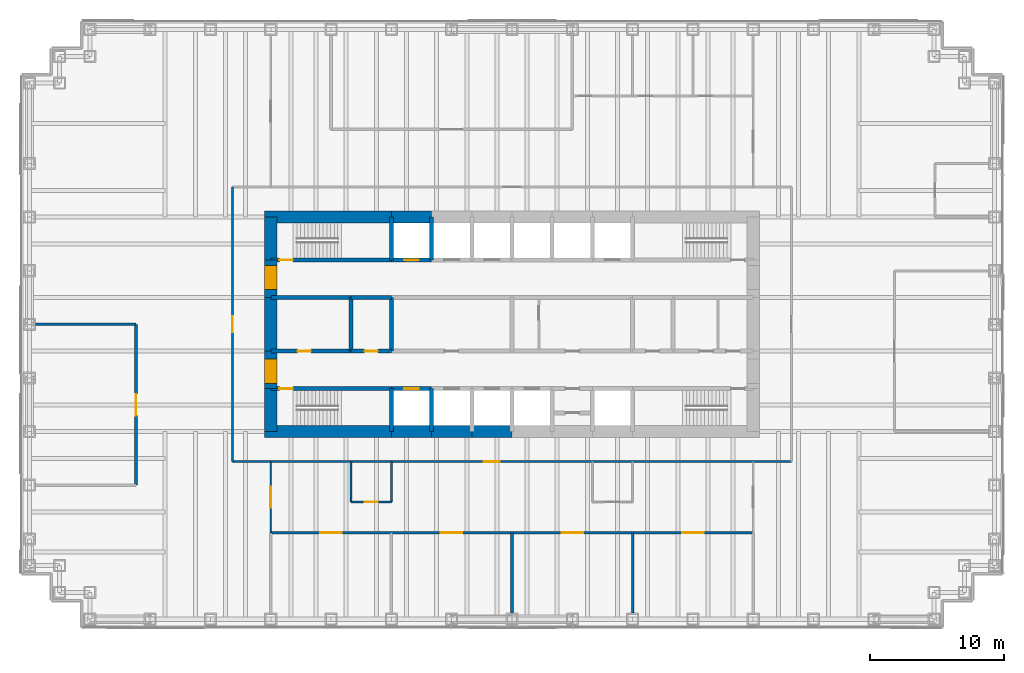
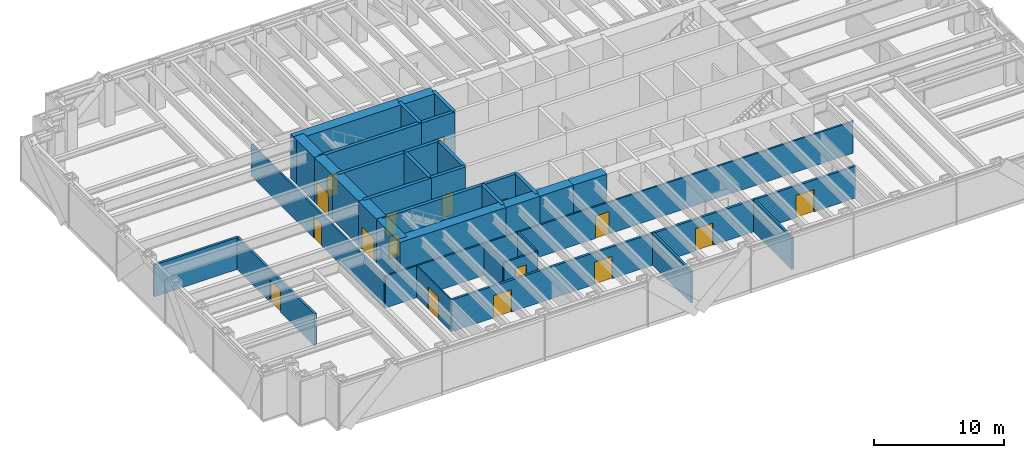
# One storey, part 11 of 15: 36 walls, 17 doors, 17 openings.
"""IFC4 building model written with IfcOpenShell, lengths in metres."""

from ifc_helpers import new_model, si_unit, direction, frame, frame_2d, origin, place, context, subcontext, project, spatial, rectangle, extrude, material, layer, layer_set, type_object, element, fill, save


model = new_model("IFC4")

# Units and contexts
model_context = context("Model", 3, precision=1e-05, world=origin(), true_north=direction((0.0, 1.0)))
body_context = subcontext(model_context, "Body", "Model", "MODEL_VIEW")
ifc_project = project(units=[si_unit("LENGTHUNIT", "METRE"), si_unit("AREAUNIT", "SQUARE_METRE"), si_unit("VOLUMEUNIT", "CUBIC_METRE"), si_unit("PLANEANGLEUNIT", "RADIAN"), si_unit("MASSUNIT", "GRAM", prefix="KILO")], contexts=[model_context])

# Site, building, storey
site_placement = place(None, origin())
site = spatial("IfcSite", under=ifc_project, at=site_placement, CompositionType="ELEMENT")
building_placement = place(site_placement, origin())
building = spatial("IfcBuilding", under=site, at=building_placement, Name="Rheinbord Bourse Tower", CompositionType="ELEMENT")
storey_placement = place(building_placement, frame((0.0, 0.0, 155.10009765625)))
storey = spatial("IfcBuildingStorey", under=building, at=storey_placement, Name="L34", CompositionType="ELEMENT", Elevation=155.10009765625)

# Wall, openings, doors
ifc_material_1 = material(Name="Acoustic gypsum board partition", Category="gypsum board")
ifc_layer_1 = layer(ifc_material_1, 0.199951171875)
ifc_layer_set_1 = layer_set([ifc_layer_1], Name="ACOUSTIC PARTITION 200")
wall_type_1 = type_object("IfcWallType", Name="ACOUSTIC PARTITION 200", PredefinedType="PARTITIONING", material=ifc_layer_set_1)
wall_1_placement = place(storey_placement, frame((18.0, 8.449951171875, 0.0), z_axis=(0.0, 0.0, 1.0), x_axis=(1.0, 0.0, 0.0)))
wall_1 = element("IfcWall", 1, at=wall_1_placement, inside=storey, type_object=wall_type_1, Name="Partition L34-01", PredefinedType="PARTITIONING", context=body_context, shape_type="SweptSolid", body=[
    extrude(rectangle(XDim=36.0, YDim=0.199951171875, at=frame_2d((18.0, 0.0))), origin(), (0.0, 0.0, 1.0), 3.0),
])
opening_1_placement = place(wall_1_placement, frame((3.699951171875, 0.0, 0.0)))
opening_1 = element("IfcOpeningElement", 2, at=opening_1_placement, cuts=wall_1, Name="Opening 34D01", PredefinedType="OPENING", context=body_context, shape_type="SweptSolid", body=[
    extrude(rectangle(XDim=1.60009765625, YDim=2.10009765625, at=frame_2d((0.800048828125, 1.050048828125))), frame((0.0, 0.10986328125, 0.0), z_axis=(0.0, -1.0, 0.0), x_axis=(1.0, 0.0, 0.0)), (0.0, 0.0, 1.0), 0.219970703125),
])
opening_2_placement = place(wall_1_placement, frame((12.699951171875, 0.0, 0.0)))
opening_2 = element("IfcOpeningElement", 3, at=opening_2_placement, cuts=wall_1, Name="Opening 34D02", PredefinedType="OPENING", context=body_context, shape_type="SweptSolid", body=[
    extrude(rectangle(XDim=1.60009765625, YDim=2.10009765625, at=frame_2d((0.800048828125, 1.050048828125))), frame((0.0, 0.10986328125, 0.0), z_axis=(0.0, -1.0, 0.0), x_axis=(1.0, 0.0, 0.0)), (0.0, 0.0, 1.0), 0.219970703125),
])
opening_3_placement = place(wall_1_placement, frame((21.699951171875, 0.0, 0.0)))
opening_3 = element("IfcOpeningElement", 4, at=opening_3_placement, cuts=wall_1, Name="Opening 34D03", PredefinedType="OPENING", context=body_context, shape_type="SweptSolid", body=[
    extrude(rectangle(XDim=1.60009765625, YDim=2.10009765625, at=frame_2d((0.800048828125, 1.050048828125))), frame((0.0, 0.10986328125, 0.0), z_axis=(0.0, -1.0, 0.0), x_axis=(1.0, 0.0, 0.0)), (0.0, 0.0, 1.0), 0.219970703125),
])
opening_4_placement = place(wall_1_placement, frame((30.699951171875, 0.0, 0.0)))
opening_4 = element("IfcOpeningElement", 5, at=opening_4_placement, cuts=wall_1, Name="Opening 34D04", PredefinedType="OPENING", context=body_context, shape_type="SweptSolid", body=[
    extrude(rectangle(XDim=1.60009765625, YDim=2.10009765625, at=frame_2d((0.800048828125, 1.050048828125))), frame((0.0, 0.10986328125, 0.0), z_axis=(0.0, -1.0, 0.0), x_axis=(1.0, 0.0, 0.0)), (0.0, 0.0, 1.0), 0.219970703125),
])
ifc_material_2 = material(Name="Timber door", Category="wood")
door_type_1 = type_object("IfcDoorType", Name="DOUBLE ROOM DOOR 1600", OperationType="DOUBLE_DOOR_DOUBLE_SWING", PredefinedType="DOOR", material=ifc_material_2)
door_1_placement = place(opening_1_placement, origin())
door_1 = element("IfcDoor", 6, at=door_1_placement, inside=storey, type_object=door_type_1, Name="Seminar room door L34", OperationType="SINGLE_SWING_LEFT", OverallHeight=2.10009765625, OverallWidth=1.60009765625, PredefinedType="DOOR", context=body_context, shape_type="SweptSolid", body=[
    extrude(rectangle(XDim=1.60009765625, YDim=2.10009765625, at=frame_2d((0.800048828125, 1.050048828125))), frame((0.0, 0.02490234375, 0.0), z_axis=(0.0, -1.0, 0.0), x_axis=(1.0, 0.0, 0.0)), (0.0, 0.0, 1.0), 0.050048828125),
])
fill(opening_1, door_1)
door_2_placement = place(opening_2_placement, origin())
door_2 = element("IfcDoor", 7, at=door_2_placement, inside=storey, type_object=door_type_1, Name="Seminar room door L34", OperationType="SINGLE_SWING_LEFT", OverallHeight=2.10009765625, OverallWidth=1.60009765625, PredefinedType="DOOR", context=body_context, shape_type="SweptSolid", body=[
    extrude(rectangle(XDim=1.60009765625, YDim=2.10009765625, at=frame_2d((0.800048828125, 1.050048828125))), frame((0.0, 0.02490234375, 0.0), z_axis=(0.0, -1.0, 0.0), x_axis=(1.0, 0.0, 0.0)), (0.0, 0.0, 1.0), 0.050048828125),
])
fill(opening_2, door_2)
door_3_placement = place(opening_3_placement, origin())
door_3 = element("IfcDoor", 8, at=door_3_placement, inside=storey, type_object=door_type_1, Name="Seminar room door L34", OperationType="SINGLE_SWING_LEFT", OverallHeight=2.10009765625, OverallWidth=1.60009765625, PredefinedType="DOOR", context=body_context, shape_type="SweptSolid", body=[
    extrude(rectangle(XDim=1.60009765625, YDim=2.10009765625, at=frame_2d((0.800048828125, 1.050048828125))), frame((0.0, 0.02490234375, 0.0), z_axis=(0.0, -1.0, 0.0), x_axis=(1.0, 0.0, 0.0)), (0.0, 0.0, 1.0), 0.050048828125),
])
fill(opening_3, door_3)
door_4_placement = place(opening_4_placement, origin())
door_4 = element("IfcDoor", 9, at=door_4_placement, inside=storey, type_object=door_type_1, Name="Seminar room door L34", OperationType="SINGLE_SWING_LEFT", OverallHeight=2.10009765625, OverallWidth=1.60009765625, PredefinedType="DOOR", context=body_context, shape_type="SweptSolid", body=[
    extrude(rectangle(XDim=1.60009765625, YDim=2.10009765625, at=frame_2d((0.800048828125, 1.050048828125))), frame((0.0, 0.02490234375, 0.0), z_axis=(0.0, -1.0, 0.0), x_axis=(1.0, 0.0, 0.0)), (0.0, 0.0, 1.0), 0.050048828125),
])
fill(opening_4, door_4)

# Wall
wall_2_placement = place(storey_placement, frame((0.449951171875, 24.0, 0.0), z_axis=(0.0, 0.0, 1.0), x_axis=(1.0, 0.0, 0.0)))
element("IfcWall", 10, at=wall_2_placement, inside=storey, type_object=wall_type_1, Name="Partition L34-07", PredefinedType="PARTITIONING", context=body_context, shape_type="SweptSolid", body=[
    extrude(rectangle(XDim=7.5, YDim=0.199951171875, at=frame_2d((3.75, 0.0))), origin(), (0.0, 0.0, 1.0), 3.0),
])

# Wall, opening, door
wall_3_placement = place(storey_placement, frame((7.949951171875, 12.0, 0.0), z_axis=(0.0, 0.0, 1.0), x_axis=(0.0, 1.0, 0.0)))
wall_3 = element("IfcWall", 11, at=wall_3_placement, inside=storey, type_object=wall_type_1, Name="Partition L34-14", PredefinedType="PARTITIONING", context=body_context, shape_type="SweptSolid", body=[
    extrude(rectangle(XDim=12.0, YDim=0.199951171875, at=frame_2d((6.0, 0.0))), origin(), (0.0, 0.0, 1.0), 3.0),
])
opening_5_placement = place(wall_3_placement, frame((5.199951171875, 0.0, 0.0)))
opening_5 = element("IfcOpeningElement", 12, at=opening_5_placement, cuts=wall_3, Name="Opening 34D07", PredefinedType="OPENING", context=body_context, shape_type="SweptSolid", body=[
    extrude(rectangle(XDim=1.60009765625, YDim=2.10009765625, at=frame_2d((0.800048828125, 1.050048828125))), frame((0.0, 0.10986328125, 0.0), z_axis=(0.0, -1.0, 0.0), x_axis=(1.0, 0.0, 0.0)), (0.0, 0.0, 1.0), 0.219970703125),
])
door_5_placement = place(opening_5_placement, origin())
door_5 = element("IfcDoor", 13, at=door_5_placement, inside=storey, type_object=door_type_1, Name="Seminar room door L34", OperationType="SINGLE_SWING_LEFT", OverallHeight=2.10009765625, OverallWidth=1.60009765625, PredefinedType="DOOR", context=body_context, shape_type="SweptSolid", body=[
    extrude(rectangle(XDim=1.60009765625, YDim=2.10009765625, at=frame_2d((0.800048828125, 1.050048828125))), frame((0.0, 0.02490234375, 0.0), z_axis=(0.0, -1.0, 0.0), x_axis=(1.0, 0.0, 0.0)), (0.0, 0.0, 1.0), 0.050048828125),
])
fill(opening_5, door_5)

# Walls
for number, where, z_axis, x_axis, name in (
    (14, (36.0, 2.449951171875, 0.0), (0.0, 0.0, 1.0), (0.0, 1.0, 0.0), "Partition L34-23"),
    (15, (45.0, 2.449951171875, 0.0), (0.0, 0.0, 1.0), (0.0, 1.0, 0.0), "Partition L34-26"),
):
    element("IfcWall", number, at=place(storey_placement, frame(where, z_axis=z_axis, x_axis=x_axis)), inside=storey, type_object=wall_type_1, Name=name, PredefinedType="PARTITIONING", context=body_context, shape_type="SweptSolid", body=[
        extrude(rectangle(XDim=6.0, YDim=0.199951171875, at=frame_2d((3.0, 0.0))), origin(), (0.0, 0.0, 1.0), 3.0),
    ])

# Wall, opening, door
ifc_material_3 = material(Name="Concrete C50/60", Category="concrete")
ifc_layer_2 = layer(ifc_material_3, 0.300048828125)
ifc_layer_set_2 = layer_set([ifc_layer_2], Name="CORE INNER WALL 300")
wall_type_2 = type_object("IfcWallType", Name="CORE INNER WALL 300", PredefinedType="SOLIDWALL", material=ifc_layer_set_2)
wall_4_placement = place(storey_placement, frame((18.0, 19.199951171875, 0.0), z_axis=(0.0, 0.0, 1.0), x_axis=(1.0, 0.0, 0.0)))
wall_4 = element("IfcWall", 16, at=wall_4_placement, inside=storey, type_object=wall_type_2, Name="Core wall A1 L34", PredefinedType="SOLIDWALL", context=body_context, shape_type="SweptSolid", body=[
    extrude(rectangle(XDim=9.0, YDim=0.300048828125, at=frame_2d((4.5, 0.0))), origin(), (0.0, 0.0, 1.0), 4.199951171875),
])
opening_6_placement = place(wall_4_placement, frame((0.64990234375, 0.0, 0.0)))
opening_6 = element("IfcOpeningElement", 17, at=opening_6_placement, cuts=wall_4, Name="Opening 3410", PredefinedType="OPENING", context=body_context, shape_type="SweptSolid", body=[
    extrude(rectangle(XDim=1.0, YDim=2.10009765625, at=frame_2d((0.5, 1.050048828125))), frame((0.0, 0.159912109375, 0.0), z_axis=(0.0, -1.0, 0.0), x_axis=(1.0, 0.0, 0.0)), (0.0, 0.0, 1.0), 0.320068359375),
])
ifc_material_4 = material(Name="Steel door", Category="steel")
door_type_2 = type_object("IfcDoorType", Name="DOOR 1000 EI30", OperationType="SINGLE_SWING_LEFT", PredefinedType="DOOR", material=ifc_material_4)
door_6_placement = place(opening_6_placement, origin())
door_6 = element("IfcDoor", 18, at=door_6_placement, inside=storey, type_object=door_type_2, Name="Stair door ST1 L34", OperationType="SINGLE_SWING_LEFT", OverallHeight=2.10009765625, OverallWidth=1.0, PredefinedType="DOOR", context=body_context, shape_type="SweptSolid", body=[
    extrude(rectangle(XDim=1.0, YDim=2.10009765625, at=frame_2d((0.5, 1.050048828125))), frame((0.0, 0.02490234375, 0.0), z_axis=(0.0, -1.0, 0.0), x_axis=(1.0, 0.0, 0.0)), (0.0, 0.0, 1.0), 0.050048828125),
])
fill(opening_6, door_6)

wall_5_placement = place(storey_placement, frame((27.0, 19.199951171875, 0.0), z_axis=(0.0, 0.0, 1.0), x_axis=(1.0, 0.0, 0.0)))
wall_5 = element("IfcWall", 19, at=wall_5_placement, inside=storey, type_object=wall_type_2, Name="Core wall A2 L34", PredefinedType="SOLIDWALL", context=body_context, shape_type="SweptSolid", body=[
    extrude(rectangle(XDim=3.0, YDim=0.300048828125, at=frame_2d((1.5, 0.0))), origin(), (0.0, 0.0, 1.0), 4.199951171875),
])
opening_7_placement = place(wall_5_placement, frame((0.949951171875, 0.0, 0.0)))
opening_7 = element("IfcOpeningElement", 20, at=opening_7_placement, cuts=wall_5, Name="Opening FL1", PredefinedType="OPENING", context=body_context, shape_type="SweptSolid", body=[
    extrude(rectangle(XDim=1.10009765625, YDim=2.199951171875, at=frame_2d((0.550048828125, 1.10009765625))), frame((0.0, 0.159912109375, 0.0), z_axis=(0.0, -1.0, 0.0), x_axis=(1.0, 0.0, 0.0)), (0.0, 0.0, 1.0), 0.320068359375),
])
ifc_material_5 = material(Name="Steel landing door", Category="steel")
door_type_3 = type_object("IfcDoorType", Name="LIFT LANDING DOOR 1100", OperationType="DOUBLE_DOOR_SLIDING", PredefinedType="USERDEFINED", material=ifc_material_5)
door_7_placement = place(opening_7_placement, origin())
door_7 = element("IfcDoor", 21, at=door_7_placement, inside=storey, type_object=door_type_3, Name="Lift landing door FL1 L34", ObjectType="LIFT LANDING DOOR", OperationType="DOUBLE_DOOR_SLIDING", OverallHeight=2.199951171875, OverallWidth=1.10009765625, PredefinedType="USERDEFINED", context=body_context, shape_type="SweptSolid", body=[
    extrude(rectangle(XDim=1.10009765625, YDim=2.199951171875, at=frame_2d((0.550048828125, 1.10009765625))), frame((0.0, 0.02490234375, 0.0), z_axis=(0.0, -1.0, 0.0), x_axis=(1.0, 0.0, 0.0)), (0.0, 0.0, 1.0), 0.050048828125),
])
fill(opening_7, door_7)

wall_6_placement = place(storey_placement, frame((18.0, 28.800048828125, 0.0), z_axis=(0.0, 0.0, 1.0), x_axis=(1.0, 0.0, 0.0)))
wall_6 = element("IfcWall", 22, at=wall_6_placement, inside=storey, type_object=wall_type_2, Name="Core wall B1 L34", PredefinedType="SOLIDWALL", context=body_context, shape_type="SweptSolid", body=[
    extrude(rectangle(XDim=9.0, YDim=0.300048828125, at=frame_2d((4.5, 0.0))), origin(), (0.0, 0.0, 1.0), 4.199951171875),
])
opening_8_placement = place(wall_6_placement, frame((0.64990234375, 0.0, 0.0)))
opening_8 = element("IfcOpeningElement", 23, at=opening_8_placement, cuts=wall_6, Name="Opening 3420", PredefinedType="OPENING", context=body_context, shape_type="SweptSolid", body=[
    extrude(rectangle(XDim=1.0, YDim=2.10009765625, at=frame_2d((0.5, 1.050048828125))), frame((0.0, 0.159912109375, 0.0), z_axis=(0.0, -1.0, 0.0), x_axis=(1.0, 0.0, 0.0)), (0.0, 0.0, 1.0), 0.320068359375),
])
door_8_placement = place(opening_8_placement, origin())
door_8 = element("IfcDoor", 24, at=door_8_placement, inside=storey, type_object=door_type_2, Name="Stair door ST2 L34", OperationType="SINGLE_SWING_LEFT", OverallHeight=2.10009765625, OverallWidth=1.0, PredefinedType="DOOR", context=body_context, shape_type="SweptSolid", body=[
    extrude(rectangle(XDim=1.0, YDim=2.10009765625, at=frame_2d((0.5, 1.050048828125))), frame((0.0, 0.02490234375, 0.0), z_axis=(0.0, -1.0, 0.0), x_axis=(1.0, 0.0, 0.0)), (0.0, 0.0, 1.0), 0.050048828125),
])
fill(opening_8, door_8)

wall_7_placement = place(storey_placement, frame((27.0, 28.800048828125, 0.0), z_axis=(0.0, 0.0, 1.0), x_axis=(1.0, 0.0, 0.0)))
wall_7 = element("IfcWall", 25, at=wall_7_placement, inside=storey, type_object=wall_type_2, Name="Core wall B2 L34", PredefinedType="SOLIDWALL", context=body_context, shape_type="SweptSolid", body=[
    extrude(rectangle(XDim=3.0, YDim=0.300048828125, at=frame_2d((1.5, 0.0))), origin(), (0.0, 0.0, 1.0), 4.199951171875),
])
opening_9_placement = place(wall_7_placement, frame((0.949951171875, 0.0, 0.0)))
opening_9 = element("IfcOpeningElement", 26, at=opening_9_placement, cuts=wall_7, Name="Opening GL1", PredefinedType="OPENING", context=body_context, shape_type="SweptSolid", body=[
    extrude(rectangle(XDim=1.10009765625, YDim=2.199951171875, at=frame_2d((0.550048828125, 1.10009765625))), frame((0.0, 0.159912109375, 0.0), z_axis=(0.0, -1.0, 0.0), x_axis=(1.0, 0.0, 0.0)), (0.0, 0.0, 1.0), 0.320068359375),
])
door_9_placement = place(opening_9_placement, origin())
door_9 = element("IfcDoor", 27, at=door_9_placement, inside=storey, type_object=door_type_3, Name="Lift landing door GL1 L34", ObjectType="LIFT LANDING DOOR", OperationType="DOUBLE_DOOR_SLIDING", OverallHeight=2.199951171875, OverallWidth=1.10009765625, PredefinedType="USERDEFINED", context=body_context, shape_type="SweptSolid", body=[
    extrude(rectangle(XDim=1.10009765625, YDim=2.199951171875, at=frame_2d((0.550048828125, 1.10009765625))), frame((0.0, 0.02490234375, 0.0), z_axis=(0.0, -1.0, 0.0), x_axis=(1.0, 0.0, 0.0)), (0.0, 0.0, 1.0), 0.050048828125),
])
fill(opening_9, door_9)

wall_8_placement = place(storey_placement, frame((18.0, 22.0, 0.0), z_axis=(0.0, 0.0, 1.0), x_axis=(1.0, 0.0, 0.0)))
wall_8 = element("IfcWall", 28, at=wall_8_placement, inside=storey, type_object=wall_type_2, Name="Core wall C1 L34", PredefinedType="SOLIDWALL", context=body_context, shape_type="SweptSolid", body=[
    extrude(rectangle(XDim=6.0, YDim=0.300048828125, at=frame_2d((3.0, 0.0))), origin(), (0.0, 0.0, 1.0), 4.199951171875),
])
opening_10_placement = place(wall_8_placement, frame((2.0, 0.0, 0.0)))
opening_10 = element("IfcOpeningElement", 29, at=opening_10_placement, cuts=wall_8, Name="Opening 34R1", PredefinedType="OPENING", context=body_context, shape_type="SweptSolid", body=[
    extrude(rectangle(XDim=1.0, YDim=2.10009765625, at=frame_2d((0.5, 1.050048828125))), frame((0.0, 0.159912109375, 0.0), z_axis=(0.0, -1.0, 0.0), x_axis=(1.0, 0.0, 0.0)), (0.0, 0.0, 1.0), 0.320068359375),
])
ifc_material_6 = material(Name="Timber door", Category="wood")
door_type_4 = type_object("IfcDoorType", Name="DOOR 1000 WC", OperationType="SINGLE_SWING_LEFT", PredefinedType="DOOR", material=ifc_material_6)
door_10_placement = place(opening_10_placement, origin())
door_10 = element("IfcDoor", 30, at=door_10_placement, inside=storey, type_object=door_type_4, Name="WC men door L34", OperationType="SINGLE_SWING_LEFT", OverallHeight=2.10009765625, OverallWidth=1.0, PredefinedType="DOOR", context=body_context, shape_type="SweptSolid", body=[
    extrude(rectangle(XDim=1.0, YDim=2.10009765625, at=frame_2d((0.5, 1.050048828125))), frame((0.0, 0.02490234375, 0.0), z_axis=(0.0, -1.0, 0.0), x_axis=(1.0, 0.0, 0.0)), (0.0, 0.0, 1.0), 0.050048828125),
])
fill(opening_10, door_10)

wall_9_placement = place(storey_placement, frame((24.0, 22.0, 0.0), z_axis=(0.0, 0.0, 1.0), x_axis=(1.0, 0.0, 0.0)))
wall_9 = element("IfcWall", 31, at=wall_9_placement, inside=storey, type_object=wall_type_2, Name="Core wall C2 L34", PredefinedType="SOLIDWALL", context=body_context, shape_type="SweptSolid", body=[
    extrude(rectangle(XDim=3.0, YDim=0.300048828125, at=frame_2d((1.5, 0.0))), origin(), (0.0, 0.0, 1.0), 4.199951171875),
])
opening_11_placement = place(wall_9_placement, frame((1.0, 0.0, 0.0)))
opening_11 = element("IfcOpeningElement", 32, at=opening_11_placement, cuts=wall_9, Name="Opening 34R2", PredefinedType="OPENING", context=body_context, shape_type="SweptSolid", body=[
    extrude(rectangle(XDim=1.0, YDim=2.10009765625, at=frame_2d((0.5, 1.050048828125))), frame((0.0, 0.159912109375, 0.0), z_axis=(0.0, -1.0, 0.0), x_axis=(1.0, 0.0, 0.0)), (0.0, 0.0, 1.0), 0.320068359375),
])
door_11_placement = place(opening_11_placement, origin())
door_11 = element("IfcDoor", 33, at=door_11_placement, inside=storey, type_object=door_type_4, Name="Shower and accessible WC door L34", OperationType="SINGLE_SWING_LEFT", OverallHeight=2.10009765625, OverallWidth=1.0, PredefinedType="DOOR", context=body_context, shape_type="SweptSolid", body=[
    extrude(rectangle(XDim=1.0, YDim=2.10009765625, at=frame_2d((0.5, 1.050048828125))), frame((0.0, 0.02490234375, 0.0), z_axis=(0.0, -1.0, 0.0), x_axis=(1.0, 0.0, 0.0)), (0.0, 0.0, 1.0), 0.050048828125),
])
fill(opening_11, door_11)

# Walls
wall_10_placement = place(storey_placement, frame((18.0, 26.0, 0.0), z_axis=(0.0, 0.0, 1.0), x_axis=(1.0, 0.0, 0.0)))
element("IfcWall", 34, at=wall_10_placement, inside=storey, type_object=wall_type_2, Name="Core wall D1 L34", PredefinedType="SOLIDWALL", context=body_context, shape_type="SweptSolid", body=[
    extrude(rectangle(XDim=6.0, YDim=0.300048828125, at=frame_2d((3.0, 0.0))), origin(), (0.0, 0.0, 1.0), 4.199951171875),
])
wall_11_placement = place(storey_placement, frame((24.0, 26.0, 0.0), z_axis=(0.0, 0.0, 1.0), x_axis=(1.0, 0.0, 0.0)))
element("IfcWall", 35, at=wall_11_placement, inside=storey, type_object=wall_type_2, Name="Core wall D2 L34", PredefinedType="SOLIDWALL", context=body_context, shape_type="SweptSolid", body=[
    extrude(rectangle(XDim=3.0, YDim=0.300048828125, at=frame_2d((1.5, 0.0))), origin(), (0.0, 0.0, 1.0), 4.199951171875),
])
for number, where, z_axis, x_axis, name in (
    (36, (27.0, 16.0, 0.0), (0.0, 0.0, 1.0), (0.0, 1.0, 0.0), "Core wall SX27 L34"),
    (37, (27.0, 28.800048828125, 0.0), (0.0, 0.0, 1.0), (0.0, 1.0, 0.0), "Core wall NX27 L34"),
    (38, (30.0, 16.0, 0.0), (0.0, 0.0, 1.0), (0.0, 1.0, 0.0), "Core wall SX30 L34"),
    (39, (30.0, 28.800048828125, 0.0), (0.0, 0.0, 1.0), (0.0, 1.0, 0.0), "Core wall NX30 L34"),
):
    element("IfcWall", number, at=place(storey_placement, frame(where, z_axis=z_axis, x_axis=x_axis)), inside=storey, type_object=wall_type_2, Name=name, PredefinedType="SOLIDWALL", context=body_context, shape_type="SweptSolid", body=[
        extrude(rectangle(XDim=3.199951171875, YDim=0.300048828125, at=frame_2d((1.60009765625, 0.0))), origin(), (0.0, 0.0, 1.0), 4.199951171875),
    ])
for number, where, z_axis, x_axis, name in (
    (40, (24.0, 22.0, 0.0), (0.0, 0.0, 1.0), (0.0, 1.0, 0.0), "Core wall MX24 L34"),
    (41, (27.0, 22.0, 0.0), (0.0, 0.0, 1.0), (0.0, 1.0, 0.0), "Core wall MX27 L34"),
):
    element("IfcWall", number, at=place(storey_placement, frame(where, z_axis=z_axis, x_axis=x_axis)), inside=storey, type_object=wall_type_2, Name=name, PredefinedType="SOLIDWALL", context=body_context, shape_type="SweptSolid", body=[
        extrude(rectangle(XDim=4.0, YDim=0.300048828125, at=frame_2d((2.0, 0.0))), origin(), (0.0, 0.0, 1.0), 4.199951171875),
    ])
ifc_material_7 = material(Name="Concrete C50/60", Category="concrete")
ifc_layer_3 = layer(ifc_material_7, 0.89990234375)
ifc_layer_set_3 = layer_set([ifc_layer_3], Name="CORE WALL 900")
wall_type_3 = type_object("IfcWallType", Name="CORE WALL 900", PredefinedType="SHEAR", material=ifc_layer_set_3)
wall_12_placement = place(storey_placement, frame((17.550048828125, 16.0, 0.0), z_axis=(0.0, 0.0, 1.0), x_axis=(1.0, 0.0, 0.0)))
element("IfcWall", 42, at=wall_12_placement, inside=storey, type_object=wall_type_3, Name="Core wall S1 L34", PredefinedType="SHEAR", context=body_context, shape_type="SweptSolid", body=[
    extrude(rectangle(XDim=9.449951171875, YDim=0.89990234375, at=frame_2d((4.72509765625, 0.0))), origin(), (0.0, 0.0, 1.0), 4.199951171875),
])
for number, where, z_axis, x_axis, name in (
    (43, (27.0, 16.0, 0.0), (0.0, 0.0, 1.0), (1.0, 0.0, 0.0), "Core wall S2 L34"),
    (44, (30.0, 16.0, 0.0), (0.0, 0.0, 1.0), (1.0, 0.0, 0.0), "Core wall S3 L34"),
    (45, (33.0, 16.0, 0.0), (0.0, 0.0, 1.0), (1.0, 0.0, 0.0), "Core wall S4 L34"),
    (46, (30.0, 32.0, 0.0), (0.0, 0.0, 1.0), (-1.0, 0.0, 0.0), "Core wall N7 L34"),
):
    element("IfcWall", number, at=place(storey_placement, frame(where, z_axis=z_axis, x_axis=x_axis)), inside=storey, type_object=wall_type_3, Name=name, PredefinedType="SHEAR", context=body_context, shape_type="SweptSolid", body=[
        extrude(rectangle(XDim=3.0, YDim=0.89990234375, at=frame_2d((1.5, 0.0))), origin(), (0.0, 0.0, 1.0), 4.199951171875),
    ])
wall_13_placement = place(storey_placement, frame((27.0, 32.0, 0.0), z_axis=(0.0, 0.0, 1.0), x_axis=(-1.0, 0.0, 0.0)))
element("IfcWall", 47, at=wall_13_placement, inside=storey, type_object=wall_type_3, Name="Core wall N8 L34", PredefinedType="SHEAR", context=body_context, shape_type="SweptSolid", body=[
    extrude(rectangle(XDim=9.449951171875, YDim=0.89990234375, at=frame_2d((4.72509765625, 0.0))), origin(), (0.0, 0.0, 1.0), 4.199951171875),
])
wall_14_placement = place(storey_placement, frame((18.0, 32.0, 0.0), z_axis=(0.0, 0.0, 1.0), x_axis=(0.0, -1.0, 0.0)))
element("IfcWall", 48, at=wall_14_placement, inside=storey, type_object=wall_type_3, Name="Core wall W1 L34", PredefinedType="SHEAR", context=body_context, shape_type="SweptSolid", body=[
    extrude(rectangle(XDim=3.199951171875, YDim=0.89990234375, at=frame_2d((1.60009765625, 0.0))), origin(), (0.0, 0.0, 1.0), 4.199951171875),
])

# Wall, opening, door
wall_15_placement = place(storey_placement, frame((18.0, 28.800048828125, 0.0), z_axis=(0.0, 0.0, 1.0), x_axis=(0.0, -1.0, 0.0)))
wall_15 = element("IfcWall", 49, at=wall_15_placement, inside=storey, type_object=wall_type_3, Name="Core wall W2 L34", PredefinedType="SHEAR", context=body_context, shape_type="SweptSolid", body=[
    extrude(rectangle(XDim=2.800048828125, YDim=0.89990234375, at=frame_2d((1.39990234375, 0.0))), origin(), (0.0, 0.0, 1.0), 4.199951171875),
])
opening_12_placement = place(wall_15_placement, frame((0.39990234375, 0.0, 0.0)))
opening_12 = element("IfcOpeningElement", 50, at=opening_12_placement, cuts=wall_15, Name="Opening 34L2", PredefinedType="OPENING", context=body_context, shape_type="SweptSolid", body=[
    extrude(rectangle(XDim=1.800048828125, YDim=2.10009765625, at=frame_2d((0.89990234375, 1.050048828125))), frame((0.0, 0.4599609375, 0.0), z_axis=(0.0, -1.0, 0.0), x_axis=(1.0, 0.0, 0.0)), (0.0, 0.0, 1.0), 0.919921875),
])
ifc_material_8 = material(Name="Steel door", Category="steel")
door_type_5 = type_object("IfcDoorType", Name="DOOR 1800 EI30 DOUBLE", OperationType="DOUBLE_DOOR_DOUBLE_SWING", PredefinedType="DOOR", material=ifc_material_8)
door_12_placement = place(opening_12_placement, origin())
door_12 = element("IfcDoor", 51, at=door_12_placement, inside=storey, type_object=door_type_5, Name="Lobby door 2 L34", OperationType="SINGLE_SWING_LEFT", OverallHeight=2.10009765625, OverallWidth=1.800048828125, PredefinedType="DOOR", context=body_context, shape_type="SweptSolid", body=[
    extrude(rectangle(XDim=1.800048828125, YDim=2.10009765625, at=frame_2d((0.89990234375, 1.050048828125))), frame((0.0, 0.44970703125, 0.0), z_axis=(0.0, -1.0, 0.0), x_axis=(1.0, 0.0, 0.0)), (0.0, 0.0, 1.0), 0.8994140625),
])
fill(opening_12, door_12)

# Wall
wall_16_placement = place(storey_placement, frame((18.0, 26.0, 0.0), z_axis=(0.0, 0.0, 1.0), x_axis=(0.0, -1.0, 0.0)))
element("IfcWall", 52, at=wall_16_placement, inside=storey, type_object=wall_type_3, Name="Core wall W3 L34", PredefinedType="SHEAR", context=body_context, shape_type="SweptSolid", body=[
    extrude(rectangle(XDim=4.0, YDim=0.89990234375, at=frame_2d((2.0, 0.0))), origin(), (0.0, 0.0, 1.0), 4.199951171875),
])

# Wall, opening, door
wall_17_placement = place(storey_placement, frame((18.0, 22.0, 0.0), z_axis=(0.0, 0.0, 1.0), x_axis=(0.0, -1.0, 0.0)))
wall_17 = element("IfcWall", 53, at=wall_17_placement, inside=storey, type_object=wall_type_3, Name="Core wall W4 L34", PredefinedType="SHEAR", context=body_context, shape_type="SweptSolid", body=[
    extrude(rectangle(XDim=2.800048828125, YDim=0.89990234375, at=frame_2d((1.39990234375, 0.0))), origin(), (0.0, 0.0, 1.0), 4.199951171875),
])
opening_13_placement = place(wall_17_placement, frame((0.60009765625, 0.0, 0.0)))
opening_13 = element("IfcOpeningElement", 54, at=opening_13_placement, cuts=wall_17, Name="Opening 34L1", PredefinedType="OPENING", context=body_context, shape_type="SweptSolid", body=[
    extrude(rectangle(XDim=1.800048828125, YDim=2.10009765625, at=frame_2d((0.89990234375, 1.050048828125))), frame((0.0, 0.4599609375, 0.0), z_axis=(0.0, -1.0, 0.0), x_axis=(1.0, 0.0, 0.0)), (0.0, 0.0, 1.0), 0.919921875),
])
door_13_placement = place(opening_13_placement, origin())
door_13 = element("IfcDoor", 55, at=door_13_placement, inside=storey, type_object=door_type_5, Name="Lobby door 1 L34", OperationType="SINGLE_SWING_LEFT", OverallHeight=2.10009765625, OverallWidth=1.800048828125, PredefinedType="DOOR", context=body_context, shape_type="SweptSolid", body=[
    extrude(rectangle(XDim=1.800048828125, YDim=2.10009765625, at=frame_2d((0.89990234375, 1.050048828125))), frame((0.0, 0.44970703125, 0.0), z_axis=(0.0, -1.0, 0.0), x_axis=(1.0, 0.0, 0.0)), (0.0, 0.0, 1.0), 0.8994140625),
])
fill(opening_13, door_13)

# Wall
wall_18_placement = place(storey_placement, frame((18.0, 19.199951171875, 0.0), z_axis=(0.0, 0.0, 1.0), x_axis=(0.0, -1.0, 0.0)))
element("IfcWall", 56, at=wall_18_placement, inside=storey, type_object=wall_type_3, Name="Core wall W5 L34", PredefinedType="SHEAR", context=body_context, shape_type="SweptSolid", body=[
    extrude(rectangle(XDim=3.199951171875, YDim=0.89990234375, at=frame_2d((1.60009765625, 0.0))), origin(), (0.0, 0.0, 1.0), 4.199951171875),
])

# Wall, opening, door
ifc_material_9 = material(Name="Gypsum board corridor partition", Category="gypsum board")
ifc_layer_4 = layer(ifc_material_9, 0.14990234375)
ifc_layer_set_4 = layer_set([ifc_layer_4], Name="CORRIDOR PARTITION 150 EI30")
wall_type_4 = type_object("IfcWallType", Name="CORRIDOR PARTITION 150 EI30", PredefinedType="PARTITIONING", material=ifc_layer_set_4)
wall_19_placement = place(storey_placement, frame((15.14990234375, 13.75, 0.0), z_axis=(0.0, 0.0, 1.0), x_axis=(1.0, 0.0, 0.0)))
wall_19 = element("IfcWall", 57, at=wall_19_placement, inside=storey, type_object=wall_type_4, Name="Partition L34-05", PredefinedType="PARTITIONING", context=body_context, shape_type="SweptSolid", body=[
    extrude(rectangle(XDim=41.7001953125, YDim=0.14990234375, at=frame_2d((20.85009765625, 0.0))), origin(), (0.0, 0.0, 1.0), 3.0),
])
opening_14_placement = place(wall_19_placement, frame((18.75, 0.0, 0.0)))
opening_14 = element("IfcOpeningElement", 58, at=opening_14_placement, cuts=wall_19, Name="Opening 34D20", PredefinedType="OPENING", context=body_context, shape_type="SweptSolid", body=[
    extrude(rectangle(XDim=1.199951171875, YDim=2.10009765625, at=frame_2d((0.60009765625, 1.050048828125))), frame((0.0, 0.0849609375, 0.0), z_axis=(0.0, -1.0, 0.0), x_axis=(1.0, 0.0, 0.0)), (0.0, 0.0, 1.0), 0.169921875),
])
ifc_material_10 = material(Name="Timber fire door", Category="wood")
door_type_6 = type_object("IfcDoorType", Name="SUITE ENTRANCE DOOR 1200 EI30", OperationType="SINGLE_SWING_LEFT", PredefinedType="DOOR", material=ifc_material_10)
door_14_placement = place(opening_14_placement, origin())
door_14 = element("IfcDoor", 59, at=door_14_placement, inside=storey, type_object=door_type_6, Name="Suite entrance 3 door L34", OperationType="SINGLE_SWING_LEFT", OverallHeight=2.10009765625, OverallWidth=1.199951171875, PredefinedType="DOOR", context=body_context, shape_type="SweptSolid", body=[
    extrude(rectangle(XDim=1.199951171875, YDim=2.10009765625, at=frame_2d((0.60009765625, 1.050048828125))), frame((0.0, 0.02490234375, 0.0), z_axis=(0.0, -1.0, 0.0), x_axis=(1.0, 0.0, 0.0)), (0.0, 0.0, 1.0), 0.050048828125),
])
fill(opening_14, door_14)

wall_20_placement = place(storey_placement, frame((15.14990234375, 13.75, 0.0), z_axis=(0.0, 0.0, 1.0), x_axis=(0.0, 1.0, 0.0)))
wall_20 = element("IfcWall", 60, at=wall_20_placement, inside=storey, type_object=wall_type_4, Name="Partition L34-15", PredefinedType="PARTITIONING", context=body_context, shape_type="SweptSolid", body=[
    extrude(rectangle(XDim=20.5, YDim=0.14990234375, at=frame_2d((10.25, 0.0))), origin(), (0.0, 0.0, 1.0), 3.0),
])
opening_15_placement = place(wall_20_placement, frame((9.64990234375, 0.0, 0.0)))
opening_15 = element("IfcOpeningElement", 61, at=opening_15_placement, cuts=wall_20, Name="Opening 34D18", PredefinedType="OPENING", context=body_context, shape_type="SweptSolid", body=[
    extrude(rectangle(XDim=1.199951171875, YDim=2.10009765625, at=frame_2d((0.60009765625, 1.050048828125))), frame((0.0, 0.0849609375, 0.0), z_axis=(0.0, -1.0, 0.0), x_axis=(1.0, 0.0, 0.0)), (0.0, 0.0, 1.0), 0.169921875),
])
door_15_placement = place(opening_15_placement, origin())
door_15 = element("IfcDoor", 62, at=door_15_placement, inside=storey, type_object=door_type_6, Name="Suite entrance 1 door L34", OperationType="SINGLE_SWING_LEFT", OverallHeight=2.10009765625, OverallWidth=1.199951171875, PredefinedType="DOOR", context=body_context, shape_type="SweptSolid", body=[
    extrude(rectangle(XDim=1.199951171875, YDim=2.10009765625, at=frame_2d((0.60009765625, 1.050048828125))), frame((0.0, 0.02490234375, 0.0), z_axis=(0.0, -1.0, 0.0), x_axis=(1.0, 0.0, 0.0)), (0.0, 0.0, 1.0), 0.050048828125),
])
fill(opening_15, door_15)

ifc_material_11 = material(Name="Toughened laminated glass partition", Category="glass")
ifc_layer_5 = layer(ifc_material_11, 0.10009765625)
ifc_layer_set_5 = layer_set([ifc_layer_5], Name="GLAZED PARTITION 100")
wall_type_5 = type_object("IfcWallType", Name="GLAZED PARTITION 100", PredefinedType="PARTITIONING", material=ifc_layer_set_5)
wall_21_placement = place(storey_placement, frame((18.0, 8.449951171875, 0.0), z_axis=(0.0, 0.0, 1.0), x_axis=(0.0, 1.0, 0.0)))
wall_21 = element("IfcWall", 63, at=wall_21_placement, inside=storey, type_object=wall_type_5, Name="Partition L34-17", PredefinedType="PARTITIONING", context=body_context, shape_type="SweptSolid", body=[
    extrude(rectangle(XDim=5.300048828125, YDim=0.10009765625, at=frame_2d((2.64990234375, 0.0))), origin(), (0.0, 0.0, 1.0), 3.0),
])
opening_16_placement = place(wall_21_placement, frame((1.85009765625, 0.0, 0.0)))
opening_16 = element("IfcOpeningElement", 64, at=opening_16_placement, cuts=wall_21, Name="Opening 34D14", PredefinedType="OPENING", context=body_context, shape_type="SweptSolid", body=[
    extrude(rectangle(XDim=1.60009765625, YDim=2.10009765625, at=frame_2d((0.800048828125, 1.050048828125))), frame((0.0, 0.06005859375, 0.0), z_axis=(0.0, -1.0, 0.0), x_axis=(1.0, 0.0, 0.0)), (0.0, 0.0, 1.0), 0.1201171875),
])
door_16_placement = place(opening_16_placement, origin())
door_16 = element("IfcDoor", 65, at=door_16_placement, inside=storey, type_object=door_type_1, Name="Open area door L34", OperationType="SINGLE_SWING_LEFT", OverallHeight=2.10009765625, OverallWidth=1.60009765625, PredefinedType="DOOR", context=body_context, shape_type="SweptSolid", body=[
    extrude(rectangle(XDim=1.60009765625, YDim=2.10009765625, at=frame_2d((0.800048828125, 1.050048828125))), frame((0.0, 0.02490234375, 0.0), z_axis=(0.0, -1.0, 0.0), x_axis=(1.0, 0.0, 0.0)), (0.0, 0.0, 1.0), 0.050048828125),
])
fill(opening_16, door_16)

ifc_material_12 = material(Name="Gypsum board partition", Category="gypsum board")
ifc_layer_6 = layer(ifc_material_12, 0.14990234375)
ifc_layer_set_6 = layer_set([ifc_layer_6], Name="PARTITION 150")
wall_type_6 = type_object("IfcWallType", Name="PARTITION 150", PredefinedType="PARTITIONING", material=ifc_layer_set_6)
wall_22_placement = place(storey_placement, frame((24.0, 10.75, 0.0), z_axis=(0.0, 0.0, 1.0), x_axis=(1.0, 0.0, 0.0)))
wall_22 = element("IfcWall", 66, at=wall_22_placement, inside=storey, type_object=wall_type_6, Name="Partition L34-02", PredefinedType="PARTITIONING", context=body_context, shape_type="SweptSolid", body=[
    extrude(rectangle(XDim=3.0, YDim=0.14990234375, at=frame_2d((1.5, 0.0))), origin(), (0.0, 0.0, 1.0), 3.0),
])
opening_17_placement = place(wall_22_placement, frame((1.0, 0.0, 0.0)))
opening_17 = element("IfcOpeningElement", 67, at=opening_17_placement, cuts=wall_22, Name="Opening 34D05", PredefinedType="OPENING", context=body_context, shape_type="SweptSolid", body=[
    extrude(rectangle(XDim=1.0, YDim=2.10009765625, at=frame_2d((0.5, 1.050048828125))), frame((0.0, 0.0849609375, 0.0), z_axis=(0.0, -1.0, 0.0), x_axis=(1.0, 0.0, 0.0)), (0.0, 0.0, 1.0), 0.169921875),
])
ifc_material_13 = material(Name="Timber door", Category="wood")
door_type_7 = type_object("IfcDoorType", Name="ROOM DOOR 1000", OperationType="SINGLE_SWING_LEFT", PredefinedType="DOOR", material=ifc_material_13)
door_17_placement = place(opening_17_placement, origin())
door_17 = element("IfcDoor", 68, at=door_17_placement, inside=storey, type_object=door_type_7, Name="Print room door L34", OperationType="SINGLE_SWING_LEFT", OverallHeight=2.10009765625, OverallWidth=1.0, PredefinedType="DOOR", context=body_context, shape_type="SweptSolid", body=[
    extrude(rectangle(XDim=1.0, YDim=2.10009765625, at=frame_2d((0.5, 1.050048828125))), frame((0.0, 0.02490234375, 0.0), z_axis=(0.0, -1.0, 0.0), x_axis=(1.0, 0.0, 0.0)), (0.0, 0.0, 1.0), 0.050048828125),
])
fill(opening_17, door_17)

# Walls
for number, where, z_axis, x_axis, name in (
    (69, (24.0, 10.75, 0.0), (0.0, 0.0, 1.0), (0.0, 1.0, 0.0), "Partition L34-20"),
    (70, (27.0, 10.75, 0.0), (0.0, 0.0, 1.0), (0.0, 1.0, 0.0), "Partition L34-22"),
):
    element("IfcWall", number, at=place(storey_placement, frame(where, z_axis=z_axis, x_axis=x_axis)), inside=storey, type_object=wall_type_6, Name=name, PredefinedType="PARTITIONING", context=body_context, shape_type="SweptSolid", body=[
        extrude(rectangle(XDim=3.0, YDim=0.14990234375, at=frame_2d((1.5, 0.0))), origin(), (0.0, 0.0, 1.0), 3.0),
    ])

save(model, "model.ifc")
